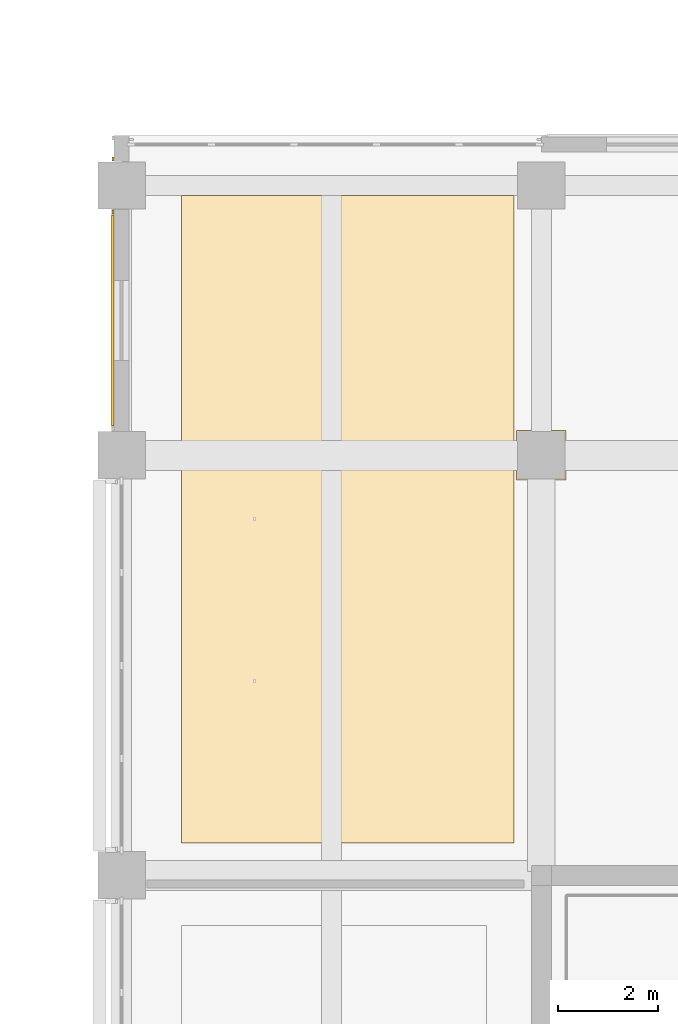
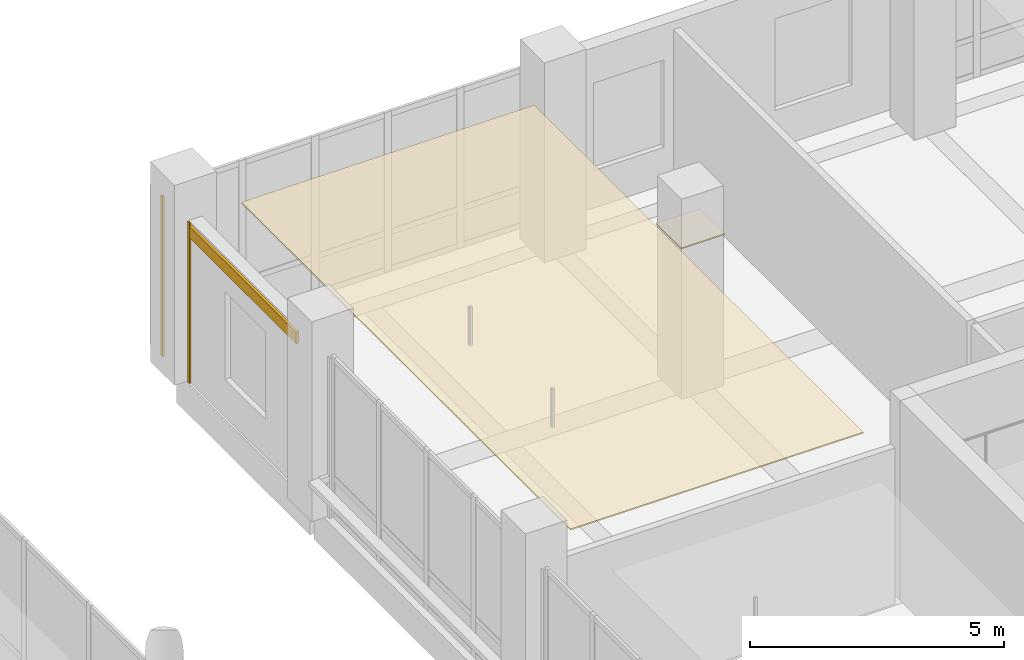
# One storey, part 105 of 122: 4 coverings.
"""IFC4 building model written with IfcOpenShell, lengths in metres."""

from ifc_helpers import new_model, si_unit, direction, frame, origin, origin_2d, place, context, subcontext, project, spatial, polyline, rectangle, outline, extrude, material, layer, layer_set, type_object, element, save


model = new_model("IFC4")

# Units and contexts
model_context = context("Model", 3, precision=1e-05, world=origin(), true_north=direction((0.0, 1.0)))
body_context = subcontext(model_context, "Body", "Model", "MODEL_VIEW")
ifc_project = project(units=[si_unit("LENGTHUNIT", "METRE"), si_unit("AREAUNIT", "SQUARE_METRE"), si_unit("VOLUMEUNIT", "CUBIC_METRE"), si_unit("PLANEANGLEUNIT", "RADIAN"), si_unit("MASSUNIT", "GRAM", prefix="KILO")], contexts=[model_context])

# Site, building, storey
site_placement = place(None, origin())
site = spatial("IfcSite", under=ifc_project, at=site_placement, CompositionType="ELEMENT")
building_placement = place(site_placement, origin())
building = spatial("IfcBuilding", under=site, at=building_placement, Name="Telukmera Botanical Conservatory", CompositionType="ELEMENT")
storey_placement = place(building_placement, frame((0.0, 0.0, 10.199951171875)))
storey = spatial("IfcBuildingStorey", under=building, at=storey_placement, Name="L02", CompositionType="ELEMENT", Elevation=10.199951171875)

# Coverings
ifc_material_1 = material(Name="Mineral fibre acoustic ceiling")
ifc_layer_1 = layer(ifc_material_1, 0.030029296875)
ifc_layer_set_1 = layer_set([ifc_layer_1], Name="Mineral fibre acoustic ceiling")
covering_type_1 = type_object("IfcCoveringType", Name="COV-CEIL-30", PredefinedType="CEILING", material=ifc_layer_set_1)
covering_1_placement = place(storey_placement, frame((0.0, 0.0, 3.6201171875)))
element("IfcCovering", 1, at=covering_1_placement, inside=storey, type_object=covering_type_1, Name="L02 Botanical Systematics Classroom Suspended Acoustic Ceiling", PredefinedType="CEILING", context=body_context, shape_type="SweptSolid", body=[
    extrude(outline(polyline([(51.60009765625, 35.050048828125), (58.2548828125, 35.050048828125), (58.2548828125, 48.0), (51.60009765625, 48.0), (51.60009765625, 35.050048828125)]), holes=[polyline([(58.304931640625, 42.304931640625), (59.294921875, 42.304931640625), (59.294921875, 43.294921875), (58.304931640625, 43.294921875), (58.304931640625, 42.304931640625)])]), origin(), (0.0, 0.0, 1.0), 0.030029296875),
])
ifc_material_2 = material(Name="Granite-faced precast concrete C40/50", Category="masonry")
ifc_layer_2 = layer(ifc_material_2, 0.0400390625)
ifc_layer_set_2 = layer_set([ifc_layer_2], Name="Granite-faced precast concrete C40/50")
covering_type_2 = type_object("IfcCoveringType", Name="Granite Precast Column Pier Reveal Casing", PredefinedType="CLADDING", material=ifc_layer_set_2)
for number, where, z_axis, x_axis, name in (
    (2, (50.22998046875, 48.72705078125, 0.0), (0.0, 0.0, 1.0), (0.0, 1.0, 0.0), "Granite Pier Reveal V4:L02:NWC L"),
    (3, (50.22998046875, 47.673095703125, 0.0), (0.0, 0.0, 1.0), (0.0, 1.0, 0.0), "Granite Pier Reveal V4:L02:W5 R"),
):
    element("IfcCovering", number, at=place(storey_placement, frame(where, z_axis=z_axis, x_axis=x_axis)), inside=storey, type_object=covering_type_2, Name=name, PredefinedType="CLADDING", context=body_context, shape_type="SweptSolid", body=[
        extrude(rectangle(XDim=0.080078125, YDim=0.0400390625, at=origin_2d()), origin(), (0.0, 0.0, 1.0), 3.85009765625),
    ])
ifc_material_3 = material(Name="Terracotta-faced precast concrete C40/50", Category="masonry")
ifc_layer_3 = layer(ifc_material_3, 0.06005859375)
ifc_layer_set_3 = layer_set([ifc_layer_3], Name="Terracotta-faced precast concrete C40/50")
covering_type_3 = type_object("IfcCoveringType", Name="Polychrome Terracotta Facade Band Cladding", PredefinedType="CLADDING", material=ifc_layer_set_3)
covering_2_placement = place(storey_placement, frame((50.219970703125, 45.5, 3.5302734375), z_axis=(0.0, 0.0, 1.0), x_axis=(0.0, 1.0, 0.0)))
element("IfcCovering", 4, at=covering_2_placement, inside=storey, type_object=covering_type_3, Name="Polychrome Terracotta Band V4:L02:W5", PredefinedType="CLADDING", context=body_context, shape_type="SweptSolid", body=[
    extrude(rectangle(XDim=4.2060546875, YDim=0.06005859375, at=origin_2d()), origin(), (0.0, 0.0, 1.0), 0.280029296875),
])

save(model, "model.ifc")
